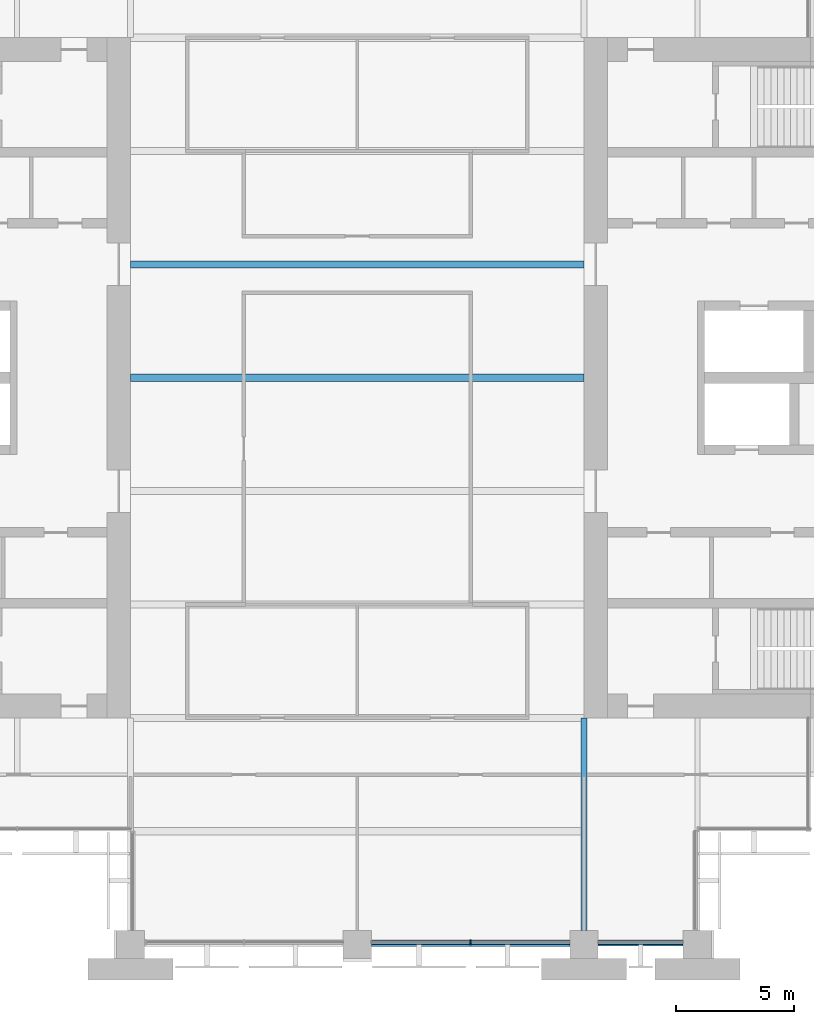
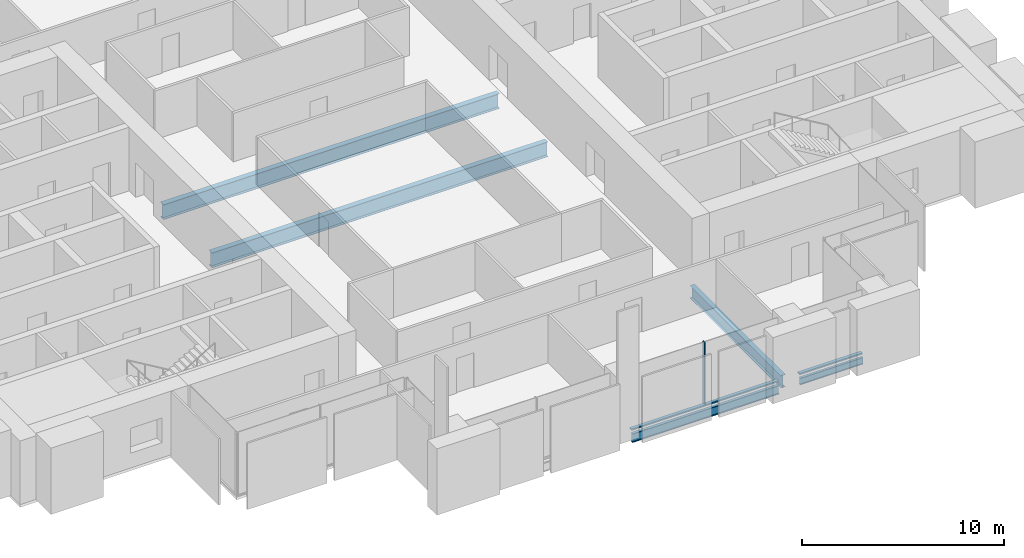
# One storey, part 3 of 14: 5 beams, 3 members, 1 element without a shape of its own.
"""IFC4 building model written with IfcOpenShell, lengths in metres."""

from ifc_helpers import new_model, si_unit, direction, frame, origin, origin_2d, place, context, subcontext, project, spatial, rectangle, i_section, extrude, material, material_profile, profile_set, type_object, element, aggregate, save


model = new_model("IFC4")

# Units and contexts
model_context = context("Model", 3, precision=1e-05, world=origin(), true_north=direction((0.0, 1.0)))
body_context = subcontext(model_context, "Body", "Model", "MODEL_VIEW")
ifc_project = project(units=[si_unit("LENGTHUNIT", "METRE"), si_unit("AREAUNIT", "SQUARE_METRE"), si_unit("VOLUMEUNIT", "CUBIC_METRE"), si_unit("PLANEANGLEUNIT", "RADIAN"), si_unit("MASSUNIT", "GRAM", prefix="KILO")], contexts=[model_context])

# Site, building, storey
site_placement = place(None, origin())
site = spatial("IfcSite", under=ifc_project, at=site_placement, CompositionType="ELEMENT")
building_placement = place(site_placement, origin())
building = spatial("IfcBuilding", under=site, at=building_placement, Name="Baori Bourse Tower", CompositionType="ELEMENT")
storey_placement = place(building_placement, frame((0.0, 0.0, 168.10009765625)))
storey = spatial("IfcBuildingStorey", under=building, at=storey_placement, Name="L37", CompositionType="ELEMENT", Elevation=168.10009765625)

# Curtain wall, members
ifc_material_1 = material(Name="Pale anodised aluminium", Category="aluminium")
curtain_wall_type = type_object("IfcCurtainWallType", Name="CW1 Curtain wall", PredefinedType="NOTDEFINED", material=ifc_material_1)
curtain_wall_placement = place(storey_placement, origin())
curtain_wall = element("IfcCurtainWall", 1, at=curtain_wall_placement, inside=storey, type_object=curtain_wall_type, Name="Curtain wall CW1 L37 11", PredefinedType="NOTDEFINED")
ifc_material_2 = material(Name="Pale anodised aluminium", Category="aluminium")
ifc_material_profile_1 = material_profile(ifc_material_2, rectangle(XDim=0.199951171875, YDim=0.06005859375, at=origin_2d()), Name="Mullion 60x200")
ifc_profile_set_1 = profile_set([ifc_material_profile_1], Name="Pale anodised aluminium")
member_type_1 = type_object("IfcMemberType", Name="CW1 Curtain wall mullion", PredefinedType="MULLION", material=ifc_profile_set_1)
member_1_placement = place(storey_placement, frame((33.60009765625, 0.10009765625, 0.079833984375), z_axis=(0.0, 0.0, 1.0), x_axis=(0.0, 1.0, 0.0)))
member_1 = element("IfcMember", 2, at=member_1_placement, type_object=member_type_1, Name="Curtain wall CW1 mullion", PredefinedType="MULLION", context=body_context, shape_type="SweptSolid", body=[
    extrude(rectangle(XDim=0.199951171875, YDim=0.06005859375, at=origin_2d()), origin(), (0.0, 0.0, 1.0), 3.760009765625),
])
ifc_material_3 = material(Name="Pale anodised aluminium", Category="aluminium")
ifc_material_profile_2 = material_profile(ifc_material_3, rectangle(XDim=0.199951171875, YDim=0.080078125, at=origin_2d()), Name="Transom 80x200")
ifc_profile_set_2 = profile_set([ifc_material_profile_2], Name="Pale anodised aluminium")
member_type_2 = type_object("IfcMemberType", Name="CW1 Curtain wall transom", PredefinedType="USERDEFINED", material=ifc_profile_set_2)
member_2_placement = place(storey_placement, frame((29.39990234375, 0.10009765625, 0.039794921875), z_axis=(1.0, 0.0, 0.0), x_axis=(0.0, 1.0, 0.0)))
member_2 = element("IfcMember", 3, at=member_2_placement, type_object=member_type_2, Name="Curtain wall CW1 sill rail", ObjectType="TRANSOM", PredefinedType="USERDEFINED", context=body_context, shape_type="SweptSolid", body=[
    extrude(rectangle(XDim=0.199951171875, YDim=0.080078125, at=origin_2d()), origin(), (0.0, 0.0, 1.0), 8.400146484375),
])
member_3_placement = place(storey_placement, frame((39.0, 0.10009765625, 0.039794921875), z_axis=(1.0, 0.0, 0.0), x_axis=(0.0, 1.0, 0.0)))
member_3 = element("IfcMember", 4, at=member_3_placement, type_object=member_type_2, Name="Curtain wall CW1 sill rail", ObjectType="TRANSOM", PredefinedType="USERDEFINED", context=body_context, shape_type="SweptSolid", body=[
    extrude(rectangle(XDim=0.199951171875, YDim=0.080078125, at=origin_2d()), origin(), (0.0, 0.0, 1.0), 3.60009765625),
])
aggregate(curtain_wall, [member_2, member_1, member_3])

# Beams
ifc_material_4 = material(Name="Steel A992 Gr 50", Category="steel")
ifc_material_profile_3 = material_profile(ifc_material_4, i_section(OverallWidth=0.140380859375, OverallDepth=0.40380859375, WebThickness=0.007080078125, FlangeThickness=0.01123046875, at=origin_2d()), Name="W16x31")
ifc_profile_set_3 = profile_set([ifc_material_profile_3], Name="Steel A992 Gr 50")
beam_type_1 = type_object("IfcBeamType", Name="Edge beam W16x31", PredefinedType="BEAM", material=ifc_profile_set_3)
beam_1_placement = place(storey_placement, frame((39.0, 0.0, -0.362060546875), z_axis=(1.0, 0.0, 0.0), x_axis=(0.0, 1.0, 0.0)))
element("IfcBeam", 5, at=beam_1_placement, inside=storey, type_object=beam_type_1, Name="Edge beam L37", PredefinedType="BEAM", context=body_context, shape_type="SweptSolid", body=[
    extrude(i_section(OverallWidth=0.140380859375, OverallDepth=0.40380859375, WebThickness=0.007080078125, FlangeThickness=0.01123046875, at=origin_2d()), origin(), (0.0, 0.0, 1.0), 3.60009765625),
])
ifc_material_5 = material(Name="Steel A992 Gr 50", Category="steel")
ifc_material_profile_4 = material_profile(ifc_material_5, i_section(OverallWidth=0.1650390625, OverallDepth=0.52587890625, WebThickness=0.0087890625, FlangeThickness=0.011474609375, at=origin_2d()), Name="W21x44")
ifc_profile_set_4 = profile_set([ifc_material_profile_4], Name="Steel A992 Gr 50")
beam_type_2 = type_object("IfcBeamType", Name="Edge beam W21x44", PredefinedType="BEAM", material=ifc_profile_set_4)
beam_2_placement = place(storey_placement, frame((29.39990234375, 0.0, -0.423095703125), z_axis=(1.0, 0.0, 0.0), x_axis=(0.0, 1.0, 0.0)))
element("IfcBeam", 6, at=beam_2_placement, inside=storey, type_object=beam_type_2, Name="Edge beam L37", PredefinedType="BEAM", context=body_context, shape_type="SweptSolid", body=[
    extrude(i_section(OverallWidth=0.1650390625, OverallDepth=0.52587890625, WebThickness=0.0087890625, FlangeThickness=0.011474609375, at=origin_2d()), origin(), (0.0, 0.0, 1.0), 8.400146484375),
])
ifc_material_6 = material(Name="Steel A992 Gr 50", Category="steel")
ifc_material_profile_5 = material_profile(ifc_material_6, i_section(OverallWidth=0.3046875, OverallDepth=0.904296875, WebThickness=0.01513671875, FlangeThickness=0.02001953125, at=origin_2d()), Name="W36x135")
ifc_profile_set_5 = profile_set([ifc_material_profile_5], Name="Steel A992 Gr 50")
beam_type_3 = type_object("IfcBeamType", Name="Floor beam W36x135", PredefinedType="BEAM", material=ifc_profile_set_5)
for number, where, z_axis, x_axis, name in (
    (7, (19.199951171875, 24.0, -0.6123046875), (1.0, 0.0, 0.0), (0.0, 1.0, 0.0), "Floor beam L37"),
    (8, (19.199951171875, 28.800048828125, -0.6123046875), (1.0, 0.0, 0.0), (0.0, 1.0, 0.0), "Floor beam L37"),
):
    element("IfcBeam", number, at=place(storey_placement, frame(where, z_axis=z_axis, x_axis=x_axis)), inside=storey, type_object=beam_type_3, Name=name, PredefinedType="BEAM", context=body_context, shape_type="SweptSolid", body=[
        extrude(i_section(OverallWidth=0.3046875, OverallDepth=0.904296875, WebThickness=0.01513671875, FlangeThickness=0.02001953125, at=origin_2d()), origin(), (0.0, 0.0, 1.0), 19.199951171875),
    ])
ifc_material_7 = material(Name="Steel A992 Gr 50", Category="steel")
ifc_material_profile_6 = material_profile(ifc_material_7, i_section(OverallWidth=0.26416015625, OverallDepth=0.749267578125, WebThickness=0.011962890625, FlangeThickness=0.015380859375, at=origin_2d()), Name="W30x90")
ifc_profile_set_6 = profile_set([ifc_material_profile_6], Name="Steel A992 Gr 50")
beam_type_4 = type_object("IfcBeamType", Name="Girder W30x90", PredefinedType="BEAM", material=ifc_profile_set_6)
beam_3_placement = place(storey_placement, frame((38.39990234375, 0.60009765625, -0.53466796875), z_axis=(0.0, 1.0, 0.0), x_axis=(-1.0, 0.0, 0.0)))
element("IfcBeam", 9, at=beam_3_placement, inside=storey, type_object=beam_type_4, Name="Girder L37", PredefinedType="BEAM", context=body_context, shape_type="SweptSolid", body=[
    extrude(i_section(OverallWidth=0.26416015625, OverallDepth=0.749267578125, WebThickness=0.011962890625, FlangeThickness=0.015380859375, at=origin_2d()), origin(), (0.0, 0.0, 1.0), 9.0),
])

save(model, "model.ifc")
